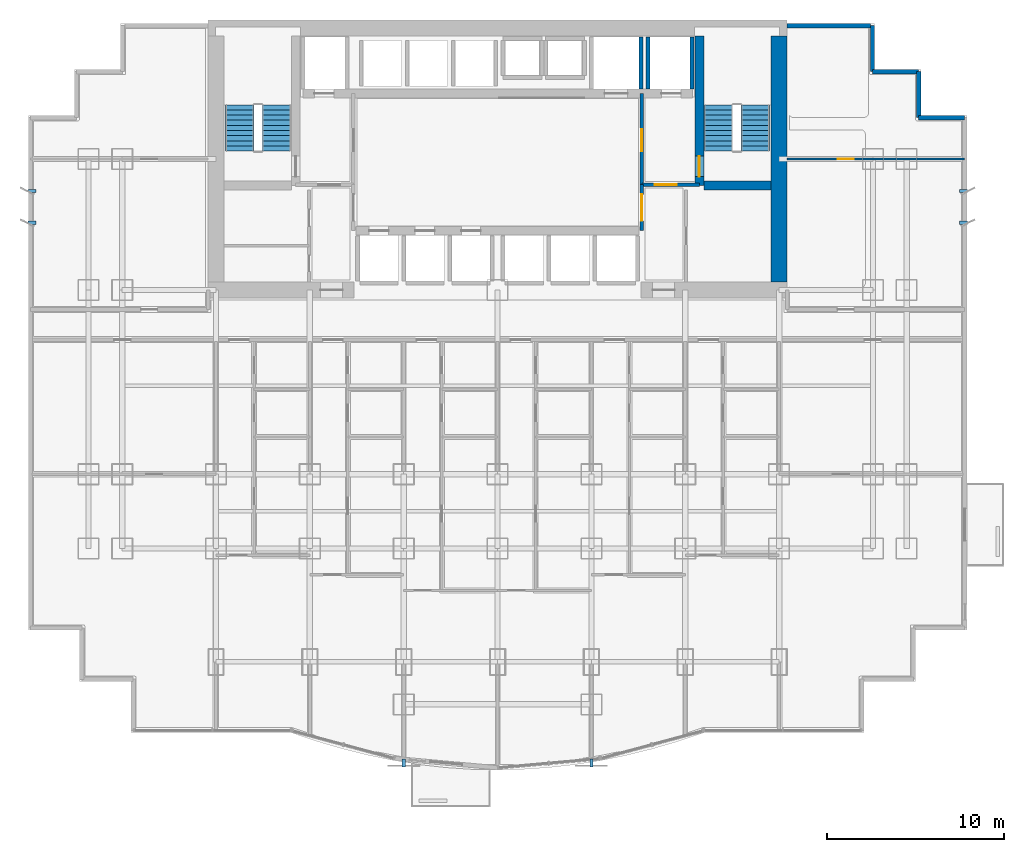
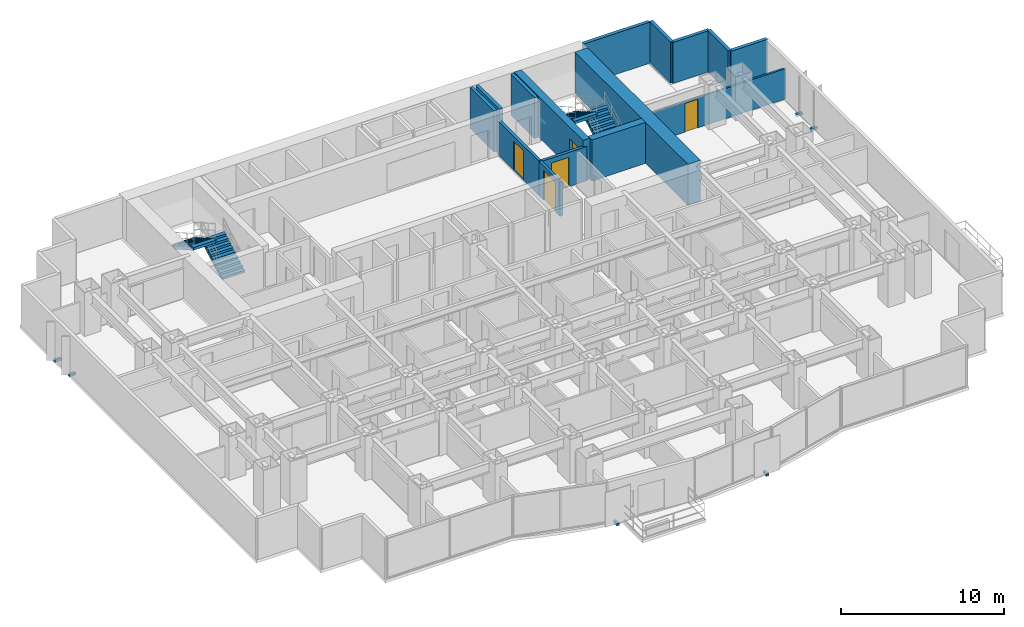
# One storey, part 8 of 10: 15 walls, 6 discrete accessories, 5 doors, 4 stair flights, 5 openings, 2 elements without a shape of their own.
"""IFC4 building model written with IfcOpenShell, lengths in metres."""

from ifc_helpers import new_model, si_unit, direction, frame, frame_2d, origin, origin_2d, place, context, subcontext, project, spatial, polyline, rectangle, outline, extrude, source, transform, mapped, material, layer, layer_set, type_object, element, fill, aggregate, save


model = new_model("IFC4")

# Units and contexts
model_context = context("Model", 3, precision=1e-05, world=origin(), true_north=direction((0.0, 1.0)))
body_context = subcontext(model_context, "Body", "Model", "MODEL_VIEW")
ifc_project = project(units=[si_unit("LENGTHUNIT", "METRE"), si_unit("AREAUNIT", "SQUARE_METRE"), si_unit("VOLUMEUNIT", "CUBIC_METRE"), si_unit("PLANEANGLEUNIT", "RADIAN"), si_unit("MASSUNIT", "GRAM", prefix="KILO")], contexts=[model_context])

# Site, building, storey
site_placement = place(None, origin())
site = spatial("IfcSite", under=ifc_project, at=site_placement, CompositionType="ELEMENT")
building_placement = place(site_placement, origin())
building = spatial("IfcBuilding", under=site, at=building_placement, Name="Qianlan Lanfeng Residences", CompositionType="ELEMENT")
storey_placement = place(building_placement, frame((0.0, 0.0, 30.800048828125)))
storey = spatial("IfcBuildingStorey", under=building, at=storey_placement, Name="L07", CompositionType="ELEMENT", Elevation=30.800048828125)

# Wall, opening, door
ifc_material_1 = material(Name="Concrete C70", Category="concrete")
ifc_layer_1 = layer(ifc_material_1, 0.5)
ifc_layer_set_1 = layer_set([ifc_layer_1], Name="Concrete C70")
wall_type_1 = type_object("IfcWallType", Name="CW-RC-500", PredefinedType="SHEAR", material=ifc_layer_set_1)
wall_1_placement = place(storey_placement, frame((37.89990234375, 31.10009765625, 0.0), z_axis=(0.0, 0.0, 1.0), x_axis=(0.0, 1.0, 0.0)))
wall_1 = element("IfcWall", 1, at=wall_1_placement, inside=storey, type_object=wall_type_1, Name="L07 Core Shear Wall ST2W", PredefinedType="SHEAR", context=body_context, shape_type="SweptSolid", body=[
    extrude(rectangle(XDim=8.449951171875, YDim=0.5, at=frame_2d((4.22509765625, 0.0))), origin(), (0.0, 0.0, 1.0), 3.079833984375),
])
opening_1_placement = place(wall_1_placement, frame((0.510009765625, 0.0, 0.0)))
opening_1 = element("IfcOpeningElement", 2, at=opening_1_placement, cuts=wall_1, Name="Opening L07-D08", PredefinedType="OPENING", context=body_context, shape_type="SweptSolid", body=[
    extrude(rectangle(XDim=1.14990234375, YDim=2.199951171875, at=frame_2d((0.574951171875, 1.10009765625))), frame((0.0, 0.260009765625, 0.0), z_axis=(0.0, -1.0, 0.0), x_axis=(1.0, 0.0, 0.0)), (0.0, 0.0, 1.0), 0.52001953125),
])
ifc_material_2 = material(Name="Painted Galvanised Steel Fire Door", Category="steel")
door_type_1 = type_object("IfcDoorType", Name="DT-ST1", OperationType="NOTDEFINED", PredefinedType="DOOR", material=ifc_material_2)
door_1_placement = place(opening_1_placement, origin())
door_1 = element("IfcDoor", 3, at=door_1_placement, inside=storey, type_object=door_type_1, Name="L07 Exit Stair ST-2 Door L07-D08 (DT-ST1)", OperationType="SINGLE_SWING_RIGHT", OverallHeight=2.199951171875, OverallWidth=1.14990234375, PredefinedType="DOOR", context=body_context, shape_type="SweptSolid", body=[
    extrude(rectangle(XDim=1.14990234375, YDim=2.199951171875, at=frame_2d((0.574951171875, 1.10009765625))), frame((0.0, 0.02490234375, 0.0), z_axis=(0.0, -1.0, 0.0), x_axis=(1.0, 0.0, 0.0)), (0.0, 0.0, 1.0), 0.050048828125),
])
fill(opening_1, door_1)

# Walls
wall_2_placement = place(storey_placement, frame((38.14990234375, 31.10009765625, 0.0), z_axis=(0.0, 0.0, 1.0), x_axis=(1.0, 0.0, 0.0)))
element("IfcWall", 4, at=wall_2_placement, inside=storey, type_object=wall_type_1, Name="L07 Core Shear Wall ST2S", PredefinedType="SHEAR", context=body_context, shape_type="SweptSolid", body=[
    extrude(rectangle(XDim=3.800048828125, YDim=0.5, at=frame_2d((1.89990234375, 0.0))), origin(), (0.0, 0.0, 1.0), 3.079833984375),
])
ifc_layer_2 = layer(ifc_material_1, 0.89990234375)
ifc_layer_set_2 = layer_set([ifc_layer_2], Name="Concrete C70")
wall_type_2 = type_object("IfcWallType", Name="CW-RC-900", PredefinedType="SHEAR", material=ifc_layer_set_2)
wall_3_placement = place(storey_placement, frame((42.39990234375, 25.64990234375, 0.0), z_axis=(0.0, 0.0, 1.0), x_axis=(0.0, 1.0, 0.0)))
element("IfcWall", 5, at=wall_3_placement, inside=storey, type_object=wall_type_2, Name="L07 Core Shear Wall E", PredefinedType="SHEAR", context=body_context, shape_type="SweptSolid", body=[
    extrude(rectangle(XDim=13.900146484375, YDim=0.89990234375, at=frame_2d((6.9501953125, 0.0))), origin(), (0.0, 0.0, 1.0), 3.079833984375),
])
ifc_material_3 = material(Name="Concrete C42", Category="concrete")
ifc_layer_3 = layer(ifc_material_3, 0.239990234375)
ifc_layer_set_3 = layer_set([ifc_layer_3], Name="Concrete C42")
wall_type_3 = type_object("IfcWallType", Name="EW-240", PredefinedType="SOLIDWALL", material=ifc_layer_set_3)
wall_4_placement = place(storey_placement, frame((52.8798828125, 34.929931640625, 0.0), z_axis=(0.0, 0.0, 1.0), x_axis=(-1.0, 0.0, 0.0)))
element("IfcWall", 6, at=wall_4_placement, inside=storey, type_object=wall_type_3, Name="L07 Exterior Facade Spandrel Wall 11", PredefinedType="SOLIDWALL", context=body_context, shape_type="SweptSolid", body=[
    extrude(rectangle(XDim=2.599853515625, YDim=0.239990234375, at=frame_2d((1.2998046875, 0.0))), origin(), (0.0, 0.0, 1.0), 3.079833984375),
])
for number, where, z_axis, x_axis, name in (
    (7, (50.280029296875, 34.929931640625, 0.0), (0.0, 0.0, 1.0), (0.0, 1.0, 0.0), "L07 Exterior Facade Spandrel Wall 12"),
    (8, (50.280029296875, 37.530029296875, 0.0), (0.0, 0.0, 1.0), (-1.0, 0.0, 0.0), "L07 Exterior Facade Spandrel Wall 13"),
):
    element("IfcWall", number, at=place(storey_placement, frame(where, z_axis=z_axis, x_axis=x_axis)), inside=storey, type_object=wall_type_3, Name=name, PredefinedType="SOLIDWALL", context=body_context, shape_type="SweptSolid", body=[
        extrude(rectangle(XDim=2.60009765625, YDim=0.239990234375, at=frame_2d((1.300048828125, 0.0))), origin(), (0.0, 0.0, 1.0), 3.079833984375),
    ])
wall_5_placement = place(storey_placement, frame((47.679931640625, 37.530029296875, 0.0), z_axis=(0.0, 0.0, 1.0), x_axis=(0.0, 1.0, 0.0)))
element("IfcWall", 9, at=wall_5_placement, inside=storey, type_object=wall_type_3, Name="L07 Exterior Facade Spandrel Wall 14", PredefinedType="SOLIDWALL", context=body_context, shape_type="SweptSolid", body=[
    extrude(rectangle(XDim=2.599853515625, YDim=0.239990234375, at=frame_2d((1.2998046875, 0.0))), origin(), (0.0, 0.0, 1.0), 3.079833984375),
])
wall_6_placement = place(storey_placement, frame((47.550048828125, 40.1298828125, 0.0), z_axis=(0.0, 0.0, 1.0), x_axis=(-1.0, 0.0, 0.0)))
element("IfcWall", 10, at=wall_6_placement, inside=storey, type_object=wall_type_3, Name="L07 North Wing Exterior Wall E", PredefinedType="SOLIDWALL", context=body_context, shape_type="SweptSolid", body=[
    extrude(rectangle(XDim=4.699951171875, YDim=0.239990234375, at=frame_2d((2.35009765625, 0.0))), origin(), (0.0, 0.0, 1.0), 3.079833984375),
])

# Wall, opening, door
ifc_material_4 = material(Name="Moisture-Resistant Gypsum Partition 135 mm")
ifc_layer_4 = layer(ifc_material_4, 0.135009765625)
ifc_layer_set_4 = layer_set([ifc_layer_4], Name="Moisture-Resistant Gypsum Partition 135 mm")
wall_type_4 = type_object("IfcWallType", Name="PW-135", PredefinedType="PARTITIONING", material=ifc_layer_set_4)
wall_7_placement = place(storey_placement, frame((42.85009765625, 32.60009765625, 0.0), z_axis=(0.0, 0.0, 1.0), x_axis=(1.0, 0.0, 0.0)))
wall_7 = element("IfcWall", 11, at=wall_7_placement, inside=storey, type_object=wall_type_4, Name="L07 EW North Wing Wall", PredefinedType="PARTITIONING", context=body_context, shape_type="SweptSolid", body=[
    extrude(rectangle(XDim=10.02978515625, YDim=0.135009765625, at=frame_2d((5.014892578125, 0.0))), origin(), (0.0, 0.0, 1.0), 2.27490234375),
])
opening_2_placement = place(wall_7_placement, frame((2.85498046875, 0.0, 0.0)))
opening_2 = element("IfcOpeningElement", 12, at=opening_2_placement, cuts=wall_7, Name="Opening L07-D50", PredefinedType="OPENING", context=body_context, shape_type="SweptSolid", body=[
    extrude(rectangle(XDim=0.919921875, YDim=2.14990234375, at=frame_2d((0.4599609375, 1.074951171875))), frame((0.0, 0.07763671875, 0.0), z_axis=(0.0, -1.0, 0.0), x_axis=(1.0, 0.0, 0.0)), (0.0, 0.0, 1.0), 0.155029296875),
])
ifc_material_5 = material(Name="Glazed Timber Kitchen/Study Door", Category="wood")
door_type_2 = type_object("IfcDoorType", Name="DT-INT", OperationType="NOTDEFINED", PredefinedType="DOOR", material=ifc_material_5)
door_2_placement = place(opening_2_placement, origin())
door_2 = element("IfcDoor", 13, at=door_2_placement, inside=storey, type_object=door_type_2, Name="L07 EW Inner Salon Door L07-D50 (DT-INT)", OperationType="SINGLE_SWING_LEFT", OverallHeight=2.14990234375, OverallWidth=0.919921875, PredefinedType="DOOR", context=body_context, shape_type="SweptSolid", body=[
    extrude(rectangle(XDim=0.919921875, YDim=2.14990234375, at=frame_2d((0.4599609375, 1.074951171875))), frame((0.0, 0.02490234375, 0.0), z_axis=(0.0, -1.0, 0.0), x_axis=(1.0, 0.0, 0.0)), (0.0, 0.0, 1.0), 0.050048828125),
])
fill(opening_2, door_2)

ifc_material_6 = material(Name="Autoclaved Aerated Concrete Blockwork 200 mm", Category="masonry")
ifc_layer_5 = layer(ifc_material_6, 0.199951171875)
ifc_layer_set_5 = layer_set([ifc_layer_5], Name="Autoclaved Aerated Concrete Blockwork 200 mm")
wall_type_5 = type_object("IfcWallType", Name="PW-200", PredefinedType="PARTITIONING", material=ifc_layer_set_5)
wall_8_placement = place(storey_placement, frame((34.64990234375, 31.14990234375, 0.0), z_axis=(0.0, 0.0, 1.0), x_axis=(1.0, 0.0, 0.0)))
wall_8 = element("IfcWall", 14, at=wall_8_placement, inside=storey, type_object=wall_type_5, Name="L07 Firefighting Lobby 2 South Wall", PredefinedType="PARTITIONING", context=body_context, shape_type="SweptSolid", body=[
    extrude(rectangle(XDim=3.25, YDim=0.199951171875, at=frame_2d((1.625, 0.0))), origin(), (0.0, 0.0, 1.0), 2.570068359375),
])
opening_3_placement = place(wall_8_placement, frame((0.72509765625, 0.0, 0.0)))
opening_3 = element("IfcOpeningElement", 15, at=opening_3_placement, cuts=wall_8, Name="Opening L07-D05", PredefinedType="OPENING", context=body_context, shape_type="SweptSolid", body=[
    extrude(rectangle(XDim=1.25, YDim=2.199951171875, at=frame_2d((0.625, 1.10009765625))), frame((0.0, 0.10986328125, 0.0), z_axis=(0.0, -1.0, 0.0), x_axis=(1.0, 0.0, 0.0)), (0.0, 0.0, 1.0), 0.219970703125),
])
door_type_3 = type_object("IfcDoorType", Name="DT-FFL", OperationType="NOTDEFINED", PredefinedType="DOOR", material=ifc_material_2)
door_3_placement = place(opening_3_placement, origin())
door_3 = element("IfcDoor", 16, at=door_3_placement, inside=storey, type_object=door_type_3, Name="L07 Firefighting Lobby 2 Entry Door L07-D05 (DT-FFL)", OperationType="SINGLE_SWING_RIGHT", OverallHeight=2.199951171875, OverallWidth=1.25, PredefinedType="DOOR", context=body_context, shape_type="SweptSolid", body=[
    extrude(rectangle(XDim=1.25, YDim=2.199951171875, at=frame_2d((0.625, 1.10009765625))), frame((0.0, 0.02490234375, 0.0), z_axis=(0.0, -1.0, 0.0), x_axis=(1.0, 0.0, 0.0)), (0.0, 0.0, 1.0), 0.050048828125),
])
fill(opening_3, door_3)

wall_9_placement = place(storey_placement, frame((34.64990234375, 31.14990234375, 0.0), z_axis=(0.0, 0.0, 1.0), x_axis=(0.0, 1.0, 0.0)))
wall_9 = element("IfcWall", 17, at=wall_9_placement, inside=storey, type_object=wall_type_5, Name="L07 Firefighting Lobby 2 West Wall", PredefinedType="PARTITIONING", context=body_context, shape_type="SweptSolid", body=[
    extrude(rectangle(XDim=5.150146484375, YDim=0.199951171875, at=frame_2d((2.5751953125, 0.0))), origin(), (0.0, 0.0, 1.0), 2.570068359375),
])
opening_4_placement = place(wall_9_placement, frame((1.875, 0.0, 0.0)))
opening_4 = element("IfcOpeningElement", 18, at=opening_4_placement, cuts=wall_9, Name="Opening L07-D06", PredefinedType="OPENING", context=body_context, shape_type="SweptSolid", body=[
    extrude(rectangle(XDim=1.25, YDim=2.199951171875, at=frame_2d((0.625, 1.10009765625))), frame((0.0, 0.10986328125, 0.0), z_axis=(0.0, -1.0, 0.0), x_axis=(1.0, 0.0, 0.0)), (0.0, 0.0, 1.0), 0.219970703125),
])
door_4_placement = place(opening_4_placement, origin())
door_4 = element("IfcDoor", 19, at=door_4_placement, inside=storey, type_object=door_type_3, Name="L07 Firefighting Lobby 2 Lift Lobby Door L07-D06 (DT-FFL)", OperationType="SINGLE_SWING_LEFT", OverallHeight=2.199951171875, OverallWidth=1.25, PredefinedType="DOOR", context=body_context, shape_type="SweptSolid", body=[
    extrude(rectangle(XDim=1.25, YDim=2.199951171875, at=frame_2d((0.625, 1.10009765625))), frame((0.0, 0.02490234375, 0.0), z_axis=(0.0, -1.0, 0.0), x_axis=(1.0, 0.0, 0.0)), (0.0, 0.0, 1.0), 0.050048828125),
])
fill(opening_4, door_4)

wall_10_placement = place(storey_placement, frame((34.64990234375, 28.550048828125, 0.0), z_axis=(0.0, 0.0, 1.0), x_axis=(0.0, 1.0, 0.0)))
wall_10 = element("IfcWall", 20, at=wall_10_placement, inside=storey, type_object=wall_type_5, Name="L07 Lift Lobby East Connector Wall", PredefinedType="PARTITIONING", context=body_context, shape_type="SweptSolid", body=[
    extrude(rectangle(XDim=2.599853515625, YDim=0.199951171875, at=frame_2d((1.2998046875, 0.0))), origin(), (0.0, 0.0, 1.0), 2.570068359375),
])
opening_5_placement = place(wall_10_placement, frame((0.550048828125, 0.0, 0.0)))
opening_5 = element("IfcOpeningElement", 21, at=opening_5_placement, cuts=wall_10, Name="Opening L07-D13", PredefinedType="OPENING", context=body_context, shape_type="SweptSolid", body=[
    extrude(rectangle(XDim=1.5, YDim=2.25, at=frame_2d((0.75, 1.125))), frame((0.0, 0.10986328125, 0.0), z_axis=(0.0, -1.0, 0.0), x_axis=(1.0, 0.0, 0.0)), (0.0, 0.0, 1.0), 0.219970703125),
])
ifc_material_7 = material(Name="Timber Veneer Acoustic Fire Door", Category="wood")
door_type_4 = type_object("IfcDoorType", Name="DT-COR1", OperationType="NOTDEFINED", PredefinedType="DOOR", material=ifc_material_7)
door_5_placement = place(opening_5_placement, frame((1.5, 0.0, 0.0), z_axis=(0.0, 0.0, 1.0), x_axis=(-1.0, 0.0, 0.0)))
door_5 = element("IfcDoor", 22, at=door_5_placement, inside=storey, type_object=door_type_4, Name="L07 Lift Lobby East Portal Door L07-D13 (DT-COR1)", OperationType="DOUBLE_DOOR_SINGLE_SWING", OverallHeight=2.25, OverallWidth=1.5, PredefinedType="DOOR", context=body_context, shape_type="SweptSolid", body=[
    extrude(rectangle(XDim=1.5, YDim=2.25, at=frame_2d((0.75, 1.125))), frame((0.0, 0.02490234375, 0.0), z_axis=(0.0, -1.0, 0.0), x_axis=(1.0, 0.0, 0.0)), (0.0, 0.0, 1.0), 0.050048828125),
])
fill(opening_5, door_5)

# Walls
ifc_material_8 = material(Name="Concrete C49", Category="concrete")
ifc_layer_6 = layer(ifc_material_8, 0.219970703125)
ifc_layer_set_6 = layer_set([ifc_layer_6], Name="Concrete C49")
wall_type_6 = type_object("IfcWallType", Name="SHW-220", PredefinedType="SOLIDWALL", material=ifc_layer_set_6)
for number, where, z_axis, x_axis, name in (
    (23, (35.0, 36.550048828125, 0.0), (0.0, 0.0, 1.0), (0.0, 1.0, 0.0), "L07 Lift FFL-2 Shaft Wall W"),
    (24, (37.47998046875, 36.550048828125, 0.0), (0.0, 0.0, 1.0), (0.0, 1.0, 0.0), "L07 Lift FFL-2 Shaft Wall E"),
    (25, (34.60009765625, 36.550048828125, 0.0), (0.0, 0.0, 1.0), (0.0, 1.0, 0.0), "L07 Lift SVL-1 Shaft Wall E"),
):
    element("IfcWall", number, at=place(storey_placement, frame(where, z_axis=z_axis, x_axis=x_axis)), inside=storey, type_object=wall_type_6, Name=name, PredefinedType="SOLIDWALL", context=body_context, shape_type="SweptSolid", body=[
        extrude(rectangle(XDim=2.929931640625, YDim=0.219970703125, at=frame_2d((1.46484375, 0.0))), origin(), (0.0, 0.0, 1.0), 3.079833984375),
    ])

# Stair, stair flights
stair_type = type_object("IfcStairType", Name="STR-MAIN", PredefinedType="HALF_TURN_STAIR", material=ifc_material_3)
stair_1_placement = place(storey_placement, origin())
stair_1 = element("IfcStair", 26, at=stair_1_placement, inside=storey, type_object=stair_type, Name="L07 Exit Stair ST-1", PredefinedType="HALF_TURN_STAIR")
stair_flight_type = type_object("IfcStairFlightType", Name="FLT-1720", PredefinedType="STRAIGHT", material=ifc_material_3)
stair_flight_1_placement = place(storey_placement, frame((14.02001953125, 33.050048828125, 0.0), z_axis=(0.0, 0.0, 1.0), x_axis=(0.0, 1.0, 0.0)))
stair_flight_1 = element("IfcStairFlight", 27, at=stair_flight_1_placement, type_object=stair_flight_type, Name="ST-1 flight 1", NumberOfRisers=10, NumberOfTreads=9, PredefinedType="STRAIGHT", RiserHeight=0.165, TreadLength=0.29, context=body_context, shape_type="SweptSolid", body=[
    extrude(outline(polyline([(0.0, 0.0), (0.0, 0.1650390625), (0.2900390625, 0.1650390625), (0.2900390625, 0.330078125), (0.580078125, 0.330078125), (0.580078125, 0.4951171875), (0.8701171875, 0.4951171875), (0.8701171875, 0.659912109375), (1.159912109375, 0.659912109375), (1.159912109375, 0.824951171875), (1.449951171875, 0.824951171875), (1.449951171875, 0.989990234375), (1.739990234375, 0.989990234375), (1.739990234375, 1.155029296875), (2.030029296875, 1.155029296875), (2.030029296875, 1.320068359375), (2.320068359375, 1.320068359375), (2.320068359375, 1.485107421875), (2.610107421875, 1.485107421875), (2.610107421875, 1.64990234375), (2.610107421875, 1.278076171875), (0.36376953125, 0.0), (0.0, 0.0)])), frame((0.0, 0.800048828125, 0.0), z_axis=(0.0, -1.0, 0.0), x_axis=(1.0, 0.0, 0.0)), (0.0, 0.0, 1.0), 1.60009765625),
])
stair_flight_2_placement = place(storey_placement, frame((11.93994140625, 35.659912109375, 1.64990234375), z_axis=(0.0, 0.0, 1.0), x_axis=(0.0, -1.0, 0.0)))
stair_flight_2 = element("IfcStairFlight", 28, at=stair_flight_2_placement, type_object=stair_flight_type, Name="ST-1 flight 2", NumberOfRisers=10, NumberOfTreads=9, PredefinedType="STRAIGHT", RiserHeight=0.165, TreadLength=0.29, context=body_context, shape_type="SweptSolid", body=[
    extrude(outline(polyline([(0.0, 0.0), (0.0, 0.1650390625), (0.2900390625, 0.1650390625), (0.2900390625, 0.330078125), (0.580078125, 0.330078125), (0.580078125, 0.4951171875), (0.8701171875, 0.4951171875), (0.8701171875, 0.659912109375), (1.159912109375, 0.659912109375), (1.159912109375, 0.824951171875), (1.449951171875, 0.824951171875), (1.449951171875, 0.989990234375), (1.739990234375, 0.989990234375), (1.739990234375, 1.155029296875), (2.030029296875, 1.155029296875), (2.030029296875, 1.320068359375), (2.320068359375, 1.320068359375), (2.320068359375, 1.485107421875), (2.610107421875, 1.485107421875), (2.610107421875, 1.64990234375), (2.610107421875, 1.278076171875), (0.36376953125, 0.0), (0.0, 0.0)])), frame((0.0, 0.800048828125, 0.0), z_axis=(0.0, -1.0, 0.0), x_axis=(1.0, 0.0, 0.0)), (0.0, 0.0, 1.0), 1.60009765625),
])
aggregate(stair_1, [stair_flight_1, stair_flight_2])

stair_2_placement = place(storey_placement, origin())
stair_2 = element("IfcStair", 29, at=stair_2_placement, inside=storey, type_object=stair_type, Name="L07 Exit Stair ST-2", PredefinedType="HALF_TURN_STAIR")
stair_flight_3_placement = place(storey_placement, frame((41.06005859375, 33.050048828125, 0.0), z_axis=(0.0, 0.0, 1.0), x_axis=(0.0, 1.0, 0.0)))
stair_flight_3 = element("IfcStairFlight", 30, at=stair_flight_3_placement, type_object=stair_flight_type, Name="ST-2 flight 1", NumberOfRisers=10, NumberOfTreads=9, PredefinedType="STRAIGHT", RiserHeight=0.165, TreadLength=0.29, context=body_context, shape_type="SweptSolid", body=[
    extrude(outline(polyline([(0.0, 0.0), (0.0, 0.1650390625), (0.2900390625, 0.1650390625), (0.2900390625, 0.330078125), (0.580078125, 0.330078125), (0.580078125, 0.4951171875), (0.8701171875, 0.4951171875), (0.8701171875, 0.659912109375), (1.159912109375, 0.659912109375), (1.159912109375, 0.824951171875), (1.449951171875, 0.824951171875), (1.449951171875, 0.989990234375), (1.739990234375, 0.989990234375), (1.739990234375, 1.155029296875), (2.030029296875, 1.155029296875), (2.030029296875, 1.320068359375), (2.320068359375, 1.320068359375), (2.320068359375, 1.485107421875), (2.610107421875, 1.485107421875), (2.610107421875, 1.64990234375), (2.610107421875, 1.278076171875), (0.36376953125, 0.0), (0.0, 0.0)])), frame((0.0, 0.800048828125, 0.0), z_axis=(0.0, -1.0, 0.0), x_axis=(1.0, 0.0, 0.0)), (0.0, 0.0, 1.0), 1.60009765625),
])
stair_flight_4_placement = place(storey_placement, frame((38.97998046875, 35.659912109375, 1.64990234375), z_axis=(0.0, 0.0, 1.0), x_axis=(0.0, -1.0, 0.0)))
stair_flight_4 = element("IfcStairFlight", 31, at=stair_flight_4_placement, type_object=stair_flight_type, Name="ST-2 flight 2", NumberOfRisers=10, NumberOfTreads=9, PredefinedType="STRAIGHT", RiserHeight=0.165, TreadLength=0.29, context=body_context, shape_type="SweptSolid", body=[
    extrude(outline(polyline([(0.0, 0.0), (0.0, 0.1650390625), (0.2900390625, 0.1650390625), (0.2900390625, 0.330078125), (0.580078125, 0.330078125), (0.580078125, 0.4951171875), (0.8701171875, 0.4951171875), (0.8701171875, 0.659912109375), (1.159912109375, 0.659912109375), (1.159912109375, 0.824951171875), (1.449951171875, 0.824951171875), (1.449951171875, 0.989990234375), (1.739990234375, 0.989990234375), (1.739990234375, 1.155029296875), (2.030029296875, 1.155029296875), (2.030029296875, 1.320068359375), (2.320068359375, 1.320068359375), (2.320068359375, 1.485107421875), (2.610107421875, 1.485107421875), (2.610107421875, 1.64990234375), (2.610107421875, 1.278076171875), (0.36376953125, 0.0), (0.0, 0.0)])), frame((0.0, 0.800048828125, 0.0), z_axis=(0.0, -1.0, 0.0), x_axis=(1.0, 0.0, 0.0)), (0.0, 0.0, 1.0), 1.60009765625),
])
aggregate(stair_2, [stair_flight_3, stair_flight_4])

# Discrete accessories
ifc_material_9 = material(Name="Stainless Steel Facade Bracket", Category="steel")
discrete_accessory_type = type_object("IfcDiscreteAccessoryType", Name="BRK-SS-350", PredefinedType="BRACKET", material=ifc_material_9)
shared_shape_1 = source(origin(), body_context, "Body", "SweptSolid", [
    extrude(rectangle(XDim=0.179931640625, YDim=0.449951171875, at=origin_2d()), origin(), (0.0, 0.0, 1.0), 0.179931640625),
])
for number, where, z_axis, x_axis, name in (
    (32, (21.199951171875, -1.5, -0.14990234375), (0.0, 0.0, 1.0), (1.0, 0.0, 0.0), "L07 Solar Screen Support Bracket 1"),
    (33, (31.800048828125, -1.5, -0.14990234375), (0.0, 0.0, 1.0), (1.0, 0.0, 0.0), "L07 Solar Screen Support Bracket 2"),
):
    element("IfcDiscreteAccessory", number, at=place(storey_placement, frame(where, z_axis=z_axis, x_axis=x_axis)), inside=storey, type_object=discrete_accessory_type, Name=name, PredefinedType="BRACKET", context=body_context, shape_type="MappedRepresentation", body=[
        mapped(shared_shape_1, transform((0.0, 0.0, 0.0), scale=1.0)),
    ])
shared_shape_2 = source(origin(), body_context, "Body", "SweptSolid", [
    extrude(rectangle(XDim=0.449951171875, YDim=0.179931640625, at=origin_2d()), origin(), (0.0, 0.0, 1.0), 0.179931640625),
])
for number, where, z_axis, x_axis, name in (
    (34, (0.199951171875, 29.0, -0.14990234375), (0.0, 0.0, 1.0), (1.0, 0.0, 0.0), "L07 Raked Solar Fin Support Bracket W1"),
    (35, (0.199951171875, 30.800048828125, -0.14990234375), (0.0, 0.0, 1.0), (1.0, 0.0, 0.0), "L07 Raked Solar Fin Support Bracket W2"),
    (36, (52.800048828125, 29.0, -0.14990234375), (0.0, 0.0, 1.0), (1.0, 0.0, 0.0), "L07 Raked Solar Fin Support Bracket E1"),
    (37, (52.800048828125, 30.800048828125, -0.14990234375), (0.0, 0.0, 1.0), (1.0, 0.0, 0.0), "L07 Raked Solar Fin Support Bracket E2"),
):
    element("IfcDiscreteAccessory", number, at=place(storey_placement, frame(where, z_axis=z_axis, x_axis=x_axis)), inside=storey, type_object=discrete_accessory_type, Name=name, PredefinedType="BRACKET", context=body_context, shape_type="MappedRepresentation", body=[
        mapped(shared_shape_2, transform((0.0, 0.0, 0.0), scale=1.0)),
    ])

save(model, "model.ifc")
